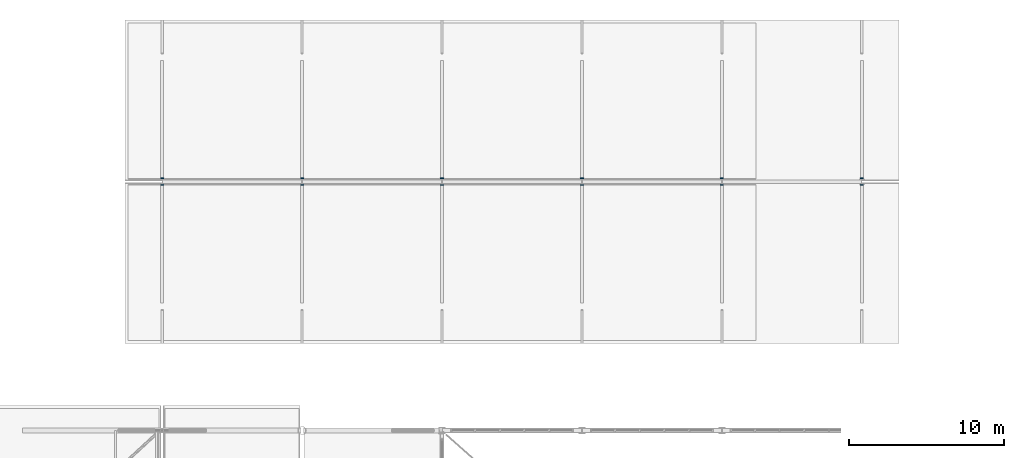
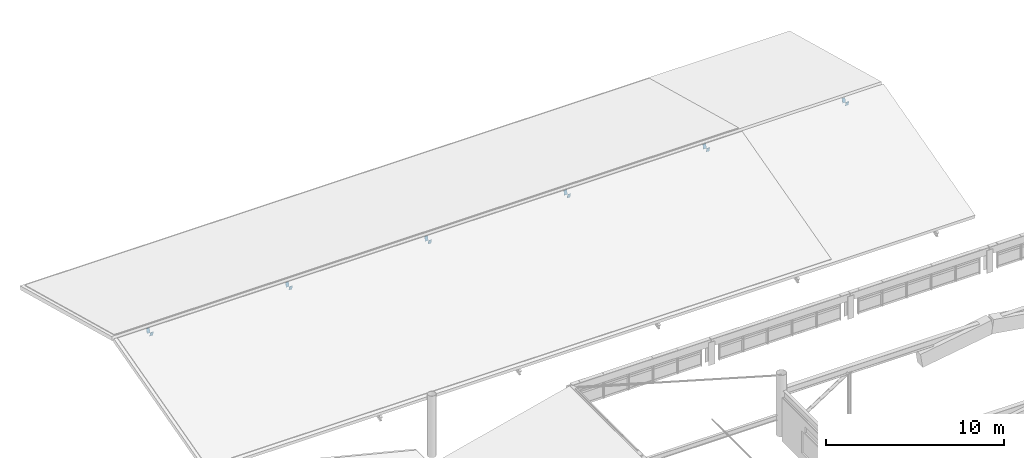
# One storey, part 117 of 128: 12 discrete accessories.
"""IFC4 building model written with IfcOpenShell, lengths in metres."""

from ifc_helpers import new_model, si_unit, derived_unit, direction, frame, origin, origin_2d, place, context, subcontext, project, spatial, rectangle, extrude, material, type_object, element, save


model = new_model("IFC4")

# Units and contexts
model_context = context("Model", 3, precision=1e-05, world=origin(), true_north=direction((0.0, 1.0)))
body_context = subcontext(model_context, "Body", "Model", "MODEL_VIEW")
ifc_project = project(units=[si_unit("LENGTHUNIT", "METRE"), si_unit("AREAUNIT", "SQUARE_METRE"), si_unit("VOLUMEUNIT", "CUBIC_METRE"), si_unit("PLANEANGLEUNIT", "RADIAN"), si_unit("MASSUNIT", "GRAM", prefix="KILO"), derived_unit("THERMALTRANSMITTANCEUNIT", [(si_unit("MASSUNIT", "GRAM", prefix="KILO"), 1), (si_unit("TIMEUNIT", "SECOND"), -3), (si_unit("THERMODYNAMICTEMPERATUREUNIT", "KELVIN"), -1)])], contexts=[model_context])

# Site, building, storey
site_placement = place(None, origin())
site = spatial("IfcSite", under=ifc_project, at=site_placement, CompositionType="ELEMENT")
building_placement = place(site_placement, origin())
building = spatial("IfcBuilding", under=site, at=building_placement, Name="Zhenchuan Archway Interchange", CompositionType="ELEMENT")
storey_placement = place(building_placement, frame((0.0, 0.0, 14.39990234375)))
storey = spatial("IfcBuildingStorey", under=building, at=storey_placement, Name="L03", CompositionType="ELEMENT", Elevation=14.39990234375)

# Discrete accessories
ifc_material = material(Name="Steel Q355", Category="steel")
discrete_accessory_type = type_object("IfcDiscreteAccessoryType", Name="CAP_MB_RHS300", PredefinedType="USERDEFINED", material=ifc_material)
for number, where, z_axis, x_axis, name in (
    (1, (9.0, 103.800048828125, 1.85009765625), (0.0, 0.964763821238, 0.263117405792), (-1.0, 0.0, 0.0), "End plate at the end of Terminal Wing south storm rafter X9"),
    (2, (9.0, 104.17578125, 1.856689453125), (0.0, 0.964763821238, -0.263117405792), (-1.0, 0.0, 0.0), "End plate at the start of Terminal Wing north storm rafter X9"),
    (3, (18.0, 103.800048828125, 1.85009765625), (0.0, 0.964763821238, 0.263117405792), (-1.0, 0.0, 0.0), "End plate at the end of Terminal Wing south storm rafter X18"),
    (4, (18.0, 104.17578125, 1.856689453125), (0.0, 0.964763821238, -0.263117405792), (-1.0, 0.0, 0.0), "End plate at the start of Terminal Wing north storm rafter X18"),
    (5, (27.0, 103.800048828125, 1.85009765625), (0.0, 0.964763821238, 0.263117405792), (-1.0, 0.0, 0.0), "End plate at the end of Terminal Wing south storm rafter X27"),
    (6, (27.0, 104.17578125, 1.856689453125), (0.0, 0.964763821238, -0.263117405792), (-1.0, 0.0, 0.0), "End plate at the start of Terminal Wing north storm rafter X27"),
    (7, (36.0, 103.800048828125, 1.85009765625), (0.0, 0.964763821238, 0.263117405792), (-1.0, 0.0, 0.0), "End plate at the end of Terminal Wing south storm rafter X36"),
    (8, (36.0, 104.17578125, 1.856689453125), (0.0, 0.964763821238, -0.263117405792), (-1.0, 0.0, 0.0), "End plate at the start of Terminal Wing north storm rafter X36"),
    (9, (45.0, 103.800048828125, 1.85009765625), (0.0, 0.964763821238, 0.263117405792), (-1.0, 0.0, 0.0), "End plate at the end of Terminal Wing south storm rafter X45"),
    (10, (45.0, 104.17578125, 1.856689453125), (0.0, 0.964763821238, -0.263117405792), (-1.0, 0.0, 0.0), "End plate at the start of Terminal Wing north storm rafter X45"),
    (11, (54.0, 103.800048828125, 1.85009765625), (0.0, 0.964763821238, 0.263117405792), (-1.0, 0.0, 0.0), "End plate at the end of Terminal Wing south storm rafter X54"),
    (12, (54.0, 104.17578125, 1.856689453125), (0.0, 0.964763821238, -0.263117405792), (-1.0, 0.0, 0.0), "End plate at the start of Terminal Wing north storm rafter X54"),
):
    element("IfcDiscreteAccessory", number, at=place(storey_placement, frame(where, z_axis=z_axis, x_axis=x_axis)), inside=storey, type_object=discrete_accessory_type, Name=name, ObjectType="END PLATE", PredefinedType="USERDEFINED", context=body_context, shape_type="SweptSolid", body=[
        extrude(rectangle(XDim=0.199951171875, YDim=0.300048828125, at=origin_2d()), origin(), (0.0, 0.0, 1.0), 0.025146484375),
    ])

save(model, "model.ifc")
